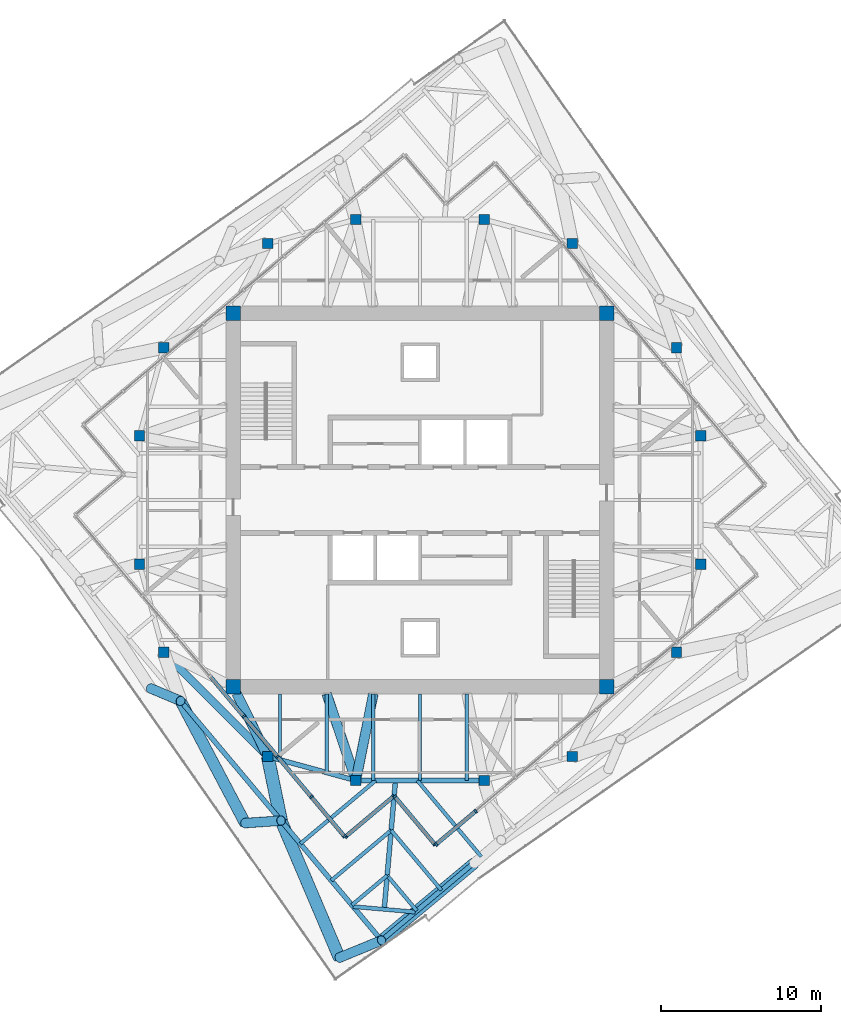
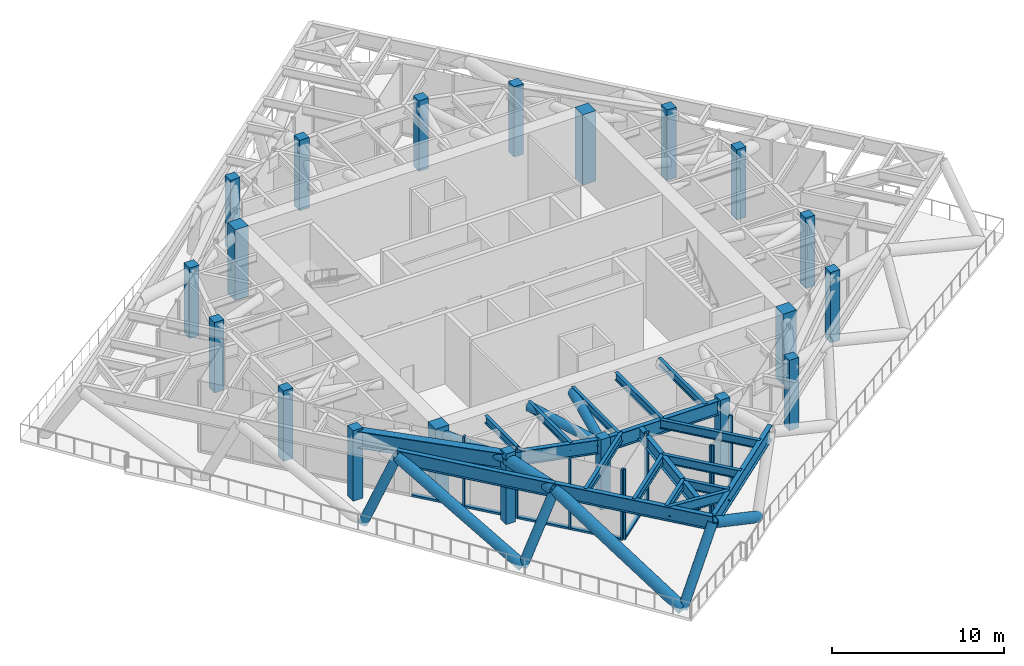
# One storey, part 1 of 15: 27 members, 20 columns, 19 beams, 4 elements without a shape of their own.
"""IFC4 building model written with IfcOpenShell, lengths in metres."""

from ifc_helpers import new_model, si_unit, direction, frame, origin, origin_2d, place, context, subcontext, project, spatial, rectangle, hollow_circle, i_section, extrude, material, material_profile, profile_set, type_object, element, aggregate, save


model = new_model("IFC4")

# Units and contexts
model_context = context("Model", 3, precision=1e-05, world=origin(), true_north=direction((0.0, 1.0)))
body_context = subcontext(model_context, "Body", "Model", "MODEL_VIEW")
ifc_project = project(units=[si_unit("LENGTHUNIT", "METRE"), si_unit("AREAUNIT", "SQUARE_METRE"), si_unit("VOLUMEUNIT", "CUBIC_METRE"), si_unit("PLANEANGLEUNIT", "RADIAN"), si_unit("MASSUNIT", "GRAM", prefix="KILO")], contexts=[model_context])

# Site, building, storey
site_placement = place(None, origin())
site = spatial("IfcSite", under=ifc_project, at=site_placement, CompositionType="ELEMENT")
building_placement = place(site_placement, origin())
building = spatial("IfcBuilding", under=site, at=building_placement, Name="Torsade Residences", CompositionType="ELEMENT")
storey_placement = place(building_placement, frame((0.0, 0.0, 267.60009765625)))
storey = spatial("IfcBuildingStorey", under=building, at=storey_placement, Name="L74", CompositionType="ELEMENT", Elevation=267.60009765625)

# Columns
ifc_material_1 = material(Name="Concrete 80 MPa", Category="concrete")
ifc_material_profile_1 = material_profile(ifc_material_1, rectangle(XDim=0.89990234375, YDim=0.89990234375, at=origin_2d()), Name="RC 900x900")
ifc_profile_set_1 = profile_set([ifc_material_profile_1], Name="Concrete 80 MPa")
column_type_1 = type_object("IfcColumnType", Name="CORE CORNER COLUMN RC 900x900", PredefinedType="COLUMN", material=ifc_profile_set_1)
for number, where, z_axis, x_axis, name in (
    (1, (28.35009765625, 18.35009765625, 0.0), (0.0, 0.0, 1.0), (1.0, 0.0, 0.0), "Core corner column CC1 L74"),
    (2, (51.64990234375, 18.35009765625, 0.0), (0.0, 0.0, 1.0), (1.0, 0.0, 0.0), "Core corner column CC2 L74"),
    (3, (51.64990234375, 41.64990234375, 0.0), (0.0, 0.0, 1.0), (1.0, 0.0, 0.0), "Core corner column CC3 L74"),
    (4, (28.35009765625, 41.64990234375, 0.0), (0.0, 0.0, 1.0), (1.0, 0.0, 0.0), "Core corner column CC4 L74"),
):
    element("IfcColumn", number, at=place(storey_placement, frame(where, z_axis=z_axis, x_axis=x_axis)), inside=storey, type_object=column_type_1, Name=name, PredefinedType="COLUMN", context=body_context, shape_type="SweptSolid", body=[
        extrude(rectangle(XDim=0.89990234375, YDim=0.89990234375, at=origin_2d()), origin(), (0.0, 0.0, 1.0), 5.0),
    ])
ifc_material_2 = material(Name="Concrete 80 MPa", Category="concrete")
ifc_material_profile_2 = material_profile(ifc_material_2, rectangle(XDim=0.64990234375, YDim=0.64990234375, at=origin_2d()), Name="RC 650x650")
ifc_profile_set_2 = profile_set([ifc_material_profile_2], Name="Concrete 80 MPa")
column_type_2 = type_object("IfcColumnType", Name="INNER RING COLUMN RC 650x650", PredefinedType="COLUMN", material=ifc_profile_set_2)
for number, where, z_axis, x_axis, name in (
    (5, (57.5, 26.0, 0.0), (0.0, 0.0, 1.0), (1.0, 0.0, 0.0), "Inner ring column IR01 L74"),
    (6, (57.5, 34.0, 0.0), (0.0, 0.0, 1.0), (1.0, 0.0, 0.0), "Inner ring column IR02 L74"),
    (7, (56.0, 39.5, 0.0), (0.0, 0.0, 1.0), (1.0, 0.0, 0.0), "Inner ring column IR03 L74"),
    (8, (49.5, 46.0, 0.0), (0.0, 0.0, 1.0), (1.0, 0.0, 0.0), "Inner ring column IR04 L74"),
    (9, (44.0, 47.5, 0.0), (0.0, 0.0, 1.0), (1.0, 0.0, 0.0), "Inner ring column IR05 L74"),
    (10, (36.0, 47.5, 0.0), (0.0, 0.0, 1.0), (1.0, 0.0, 0.0), "Inner ring column IR06 L74"),
    (11, (30.5, 46.0, 0.0), (0.0, 0.0, 1.0), (1.0, 0.0, 0.0), "Inner ring column IR07 L74"),
    (12, (24.0, 39.5, 0.0), (0.0, 0.0, 1.0), (1.0, 0.0, 0.0), "Inner ring column IR08 L74"),
    (13, (22.5, 34.0, 0.0), (0.0, 0.0, 1.0), (1.0, 0.0, 0.0), "Inner ring column IR09 L74"),
    (14, (22.5, 26.0, 0.0), (0.0, 0.0, 1.0), (1.0, 0.0, 0.0), "Inner ring column IR10 L74"),
    (15, (24.0, 20.5, 0.0), (0.0, 0.0, 1.0), (1.0, 0.0, 0.0), "Inner ring column IR11 L74"),
    (16, (30.5, 14.0, 0.0), (0.0, 0.0, 1.0), (1.0, 0.0, 0.0), "Inner ring column IR12 L74"),
    (17, (36.0, 12.5, 0.0), (0.0, 0.0, 1.0), (1.0, 0.0, 0.0), "Inner ring column IR13 L74"),
    (18, (44.0, 12.5, 0.0), (0.0, 0.0, 1.0), (1.0, 0.0, 0.0), "Inner ring column IR14 L74"),
    (19, (49.5, 14.0, 0.0), (0.0, 0.0, 1.0), (1.0, 0.0, 0.0), "Inner ring column IR15 L74"),
    (20, (56.0, 20.5, 0.0), (0.0, 0.0, 1.0), (1.0, 0.0, 0.0), "Inner ring column IR16 L74"),
):
    element("IfcColumn", number, at=place(storey_placement, frame(where, z_axis=z_axis, x_axis=x_axis)), inside=storey, type_object=column_type_2, Name=name, PredefinedType="COLUMN", context=body_context, shape_type="SweptSolid", body=[
        extrude(rectangle(XDim=0.64990234375, YDim=0.64990234375, at=origin_2d()), origin(), (0.0, 0.0, 1.0), 5.0),
    ])

# Beams
ifc_material_3 = material(Name="Steel grade 300", Category="steel")
ifc_material_profile_3 = material_profile(ifc_material_3, i_section(OverallWidth=0.300048828125, OverallDepth=0.89990234375, WebThickness=0.011962890625, FlangeThickness=0.02490234375, at=origin_2d()), Name="900WB175")
ifc_profile_set_3 = profile_set([ifc_material_profile_3], Name="Steel grade 300")
beam_type_1 = type_object("IfcBeamType", Name="CORNER GIRDER 900WB175", PredefinedType="BEAM", material=ifc_profile_set_3)
beam_1_placement = place(storey_placement, frame((37.765869140625, 4.46484375, 4.39990234375), z_axis=(0.087172957961, 0.996193191806, 0.0), x_axis=(-0.996193191806, 0.087172957961, 0.0)))
element("IfcBeam", 21, at=beam_1_placement, inside=storey, type_object=beam_type_1, Name="Corner girder 01 L75", PredefinedType="BEAM", context=body_context, shape_type="SweptSolid", body=[
    extrude(i_section(OverallWidth=0.300048828125, OverallDepth=0.89990234375, WebThickness=0.011962890625, FlangeThickness=0.02490234375, at=origin_2d()), origin(), (0.0, 0.0, 1.0), 8.06591796875),
])
ifc_material_4 = material(Name="Steel grade 300", Category="steel")
ifc_material_profile_4 = material_profile(ifc_material_4, i_section(OverallWidth=0.25, OverallDepth=0.699951171875, WebThickness=0.010009765625, FlangeThickness=0.02001953125, at=origin_2d()), Name="700WB130")
ifc_profile_set_4 = profile_set([ifc_material_profile_4], Name="Steel grade 300")
beam_type_2 = type_object("IfcBeamType", Name="CORNER TRIMMER 700WB130", PredefinedType="BEAM", material=ifc_profile_set_4)
beam_2_placement = place(storey_placement, frame((39.703125, 4.29541015625, 4.5), z_axis=(-0.996196646947, 0.087133464362, 0.0), x_axis=(-0.087133464362, -0.996196646947, 0.0)))
element("IfcBeam", 22, at=beam_2_placement, inside=storey, type_object=beam_type_2, Name="Corner trimmer 01 L75", PredefinedType="BEAM", context=body_context, shape_type="SweptSolid", body=[
    extrude(i_section(OverallWidth=0.25, OverallDepth=0.699951171875, WebThickness=0.010009765625, FlangeThickness=0.02001953125, at=origin_2d()), origin(), (0.0, 0.0, 1.0), 3.88916015625),
])

# Curtain wall, members
ifc_material_5 = material(Name="Aluminium and glass", Category="aluminium")
curtain_wall_type = type_object("IfcCurtainWallType", Name="TRANSFER LEVEL CURTAIN WALL HIGH ZONE", PredefinedType="NOTDEFINED", material=ifc_material_5)
curtain_wall_1_placement = place(storey_placement, origin())
curtain_wall_1 = element("IfcCurtainWall", 23, at=curtain_wall_1_placement, inside=storey, type_object=curtain_wall_type, Name="Curtain wall L74 face 1", PredefinedType="NOTDEFINED")
ifc_material_6 = material(Name="Aluminium mullion", Category="aluminium")
ifc_material_profile_5 = material_profile(ifc_material_6, rectangle(XDim=0.25, YDim=0.1201171875, at=origin_2d()), Name="HIGH ZONE TRANSFER CURTAIN WALL MULLION 250x120")
ifc_profile_set_5 = profile_set([ifc_material_profile_5], Name="Aluminium mullion")
member_type_1 = type_object("IfcMemberType", Name="HIGH ZONE TRANSFER CURTAIN WALL MULLION 250x120", PredefinedType="MULLION", material=ifc_profile_set_5)
member_1_placement = place(storey_placement, frame((41.00244140625, 8.518798828125, 0.0), z_axis=(0.0, 0.0, 1.0), x_axis=(-0.642787631413, 0.766044424888, 0.0)))
member_1 = element("IfcMember", 24, at=member_1_placement, type_object=member_type_1, Name="Mullion 1", PredefinedType="MULLION", context=body_context, shape_type="SweptSolid", body=[
    extrude(rectangle(XDim=0.25, YDim=0.1201171875, at=origin_2d()), origin(), (0.0, 0.0, 1.0), 5.0),
])
member_2_placement = place(storey_placement, frame((43.46533203125, 10.585205078125, 0.0), z_axis=(0.0, 0.0, 1.0), x_axis=(-0.642787631413, 0.766044424888, 0.0)))
member_2 = element("IfcMember", 25, at=member_2_placement, type_object=member_type_1, Name="Mullion 2", PredefinedType="MULLION", context=body_context, shape_type="SweptSolid", body=[
    extrude(rectangle(XDim=0.25, YDim=0.1201171875, at=origin_2d()), origin(), (0.0, 0.0, 1.0), 5.0),
])

curtain_wall_2_placement = place(storey_placement, origin())
curtain_wall_2 = element("IfcCurtainWall", 26, at=curtain_wall_2_placement, inside=storey, type_object=curtain_wall_type, Name="Curtain wall L74 face 10", PredefinedType="NOTDEFINED")
member_3_placement = place(storey_placement, frame((29.005859375, 16.49951171875, 0.0), z_axis=(0.0, 0.0, 1.0), x_axis=(0.766044424888, 0.642787631413, 0.0)))
member_3 = element("IfcMember", 27, at=member_3_placement, type_object=member_type_1, Name="Mullion 6", PredefinedType="MULLION", context=body_context, shape_type="SweptSolid", body=[
    extrude(rectangle(XDim=0.25, YDim=0.1201171875, at=origin_2d()), origin(), (0.0, 0.0, 1.0), 5.0),
])
member_4_placement = place(storey_placement, frame((31.11083984375, 13.99072265625, 0.0), z_axis=(0.0, 0.0, 1.0), x_axis=(0.766044424888, 0.642787631413, 0.0)))
member_4 = element("IfcMember", 28, at=member_4_placement, type_object=member_type_1, Name="Mullion 7", PredefinedType="MULLION", context=body_context, shape_type="SweptSolid", body=[
    extrude(rectangle(XDim=0.25, YDim=0.1201171875, at=origin_2d()), origin(), (0.0, 0.0, 1.0), 5.0),
])
member_5_placement = place(storey_placement, frame((33.216064453125, 11.48193359375, 0.0), z_axis=(0.0, 0.0, 1.0), x_axis=(0.766044424888, 0.642787631413, 0.0)))
member_5 = element("IfcMember", 29, at=member_5_placement, type_object=member_type_1, Name="Mullion 8", PredefinedType="MULLION", context=body_context, shape_type="SweptSolid", body=[
    extrude(rectangle(XDim=0.25, YDim=0.1201171875, at=origin_2d()), origin(), (0.0, 0.0, 1.0), 5.0),
])
member_6_placement = place(storey_placement, frame((35.282470703125, 9.01904296875, 0.0), z_axis=(0.0, 0.0, 1.0), x_axis=(0.766044424888, 0.642787631413, 0.0)))
member_6 = element("IfcMember", 30, at=member_6_placement, type_object=member_type_1, Name="Mullion 9", PredefinedType="MULLION", context=body_context, shape_type="SweptSolid", body=[
    extrude(rectangle(XDim=0.25, YDim=0.1201171875, at=origin_2d()), origin(), (0.0, 0.0, 1.0), 5.0),
])

curtain_wall_3_placement = place(storey_placement, origin())
curtain_wall_3 = element("IfcCurtainWall", 31, at=curtain_wall_3_placement, inside=storey, type_object=curtain_wall_type, Name="Curtain wall L74 face 11", PredefinedType="NOTDEFINED")
member_7_placement = place(storey_placement, frame((35.3671875, 9.01171875, 0.0), z_axis=(0.0, 0.0, 1.0), x_axis=(-0.642787640411, 0.766044417338, 0.0)))
member_7 = element("IfcMember", 32, at=member_7_placement, type_object=member_type_1, Name="Mullion 1", PredefinedType="MULLION", context=body_context, shape_type="SweptSolid", body=[
    extrude(rectangle(XDim=0.25, YDim=0.1201171875, at=origin_2d()), origin(), (0.0, 0.0, 1.0), 5.0),
])
member_8_placement = place(storey_placement, frame((38.33935546875, 11.505615234375, 0.0), z_axis=(0.0, 0.0, 1.0), x_axis=(-0.642787640411, 0.766044417338, 0.0)))
member_8 = element("IfcMember", 33, at=member_8_placement, type_object=member_type_1, Name="Mullion 2", PredefinedType="MULLION", context=body_context, shape_type="SweptSolid", body=[
    extrude(rectangle(XDim=0.25, YDim=0.1201171875, at=origin_2d()), origin(), (0.0, 0.0, 1.0), 5.0),
])

curtain_wall_4_placement = place(storey_placement, origin())
curtain_wall_4 = element("IfcCurtainWall", 34, at=curtain_wall_4_placement, inside=storey, type_object=curtain_wall_type, Name="Curtain wall L74 face 12", PredefinedType="NOTDEFINED")
member_9_placement = place(storey_placement, frame((38.423828125, 11.498291015625, 0.0), z_axis=(0.0, 0.0, 1.0), x_axis=(0.766044397526, 0.642787664022, 0.0)))
member_9 = element("IfcMember", 35, at=member_9_placement, type_object=member_type_1, Name="Mullion 1", PredefinedType="MULLION", context=body_context, shape_type="SweptSolid", body=[
    extrude(rectangle(XDim=0.25, YDim=0.1201171875, at=origin_2d()), origin(), (0.0, 0.0, 1.0), 5.0),
])
member_10_placement = place(storey_placement, frame((40.91796875, 8.526123046875, 0.0), z_axis=(0.0, 0.0, 1.0), x_axis=(0.766044397526, 0.642787664022, 0.0)))
member_10 = element("IfcMember", 36, at=member_10_placement, type_object=member_type_1, Name="Mullion 2", PredefinedType="MULLION", context=body_context, shape_type="SweptSolid", body=[
    extrude(rectangle(XDim=0.25, YDim=0.1201171875, at=origin_2d()), origin(), (0.0, 0.0, 1.0), 5.0),
])

# Member
ifc_material_7 = material(Name="Aluminium transom", Category="aluminium")
ifc_material_profile_6 = material_profile(ifc_material_7, rectangle(XDim=0.25, YDim=0.139892578125, at=origin_2d()), Name="HIGH ZONE TRANSFER CURTAIN WALL TRANSOM 250x140")
ifc_profile_set_6 = profile_set([ifc_material_profile_6], Name="Aluminium transom")
member_type_2 = type_object("IfcMemberType", Name="HIGH ZONE TRANSFER CURTAIN WALL TRANSOM 250x140", PredefinedType="USERDEFINED", material=ifc_profile_set_6)
member_11_placement = place(storey_placement, frame((41.04833984375, 8.557373046875, 0.06982421875), z_axis=(0.766096318051, 0.642725782483, 0.0), x_axis=(-0.642725782483, 0.766096318051, 0.0)))
member_11 = element("IfcMember", 37, at=member_11_placement, type_object=member_type_2, Name="Transom 1.1", ObjectType="TRANSOM", PredefinedType="USERDEFINED", context=body_context, shape_type="SweptSolid", body=[
    extrude(rectangle(XDim=0.25, YDim=0.139892578125, at=origin_2d()), origin(), (0.0, 0.0, 1.0), 3.094970703125),
])

aggregate(curtain_wall_1, [member_1, member_2, member_11])

member_12_placement = place(storey_placement, frame((26.939208984375, 18.96240234375, 0.06982421875), z_axis=(0.642783688793, -0.766047733122, 0.0), x_axis=(0.766047733122, 0.642783688793, 0.0)))
member_12 = element("IfcMember", 38, at=member_12_placement, type_object=member_type_2, Name="Transom 5.1", ObjectType="TRANSOM", PredefinedType="USERDEFINED", context=body_context, shape_type="SweptSolid", body=[
    extrude(rectangle(XDim=0.25, YDim=0.139892578125, at=origin_2d()), origin(), (0.0, 0.0, 1.0), 3.155029296875),
])

member_13_placement = place(storey_placement, frame((29.04443359375, 16.45361328125, 0.06982421875), z_axis=(0.642738277412, -0.766085835105, 0.0), x_axis=(0.766085835105, 0.642738277412, 0.0)))
member_13 = element("IfcMember", 39, at=member_13_placement, type_object=member_type_2, Name="Transom 6.1", ObjectType="TRANSOM", PredefinedType="USERDEFINED", context=body_context, shape_type="SweptSolid", body=[
    extrude(rectangle(XDim=0.25, YDim=0.139892578125, at=origin_2d()), origin(), (0.0, 0.0, 1.0), 3.155029296875),
])

member_14_placement = place(storey_placement, frame((31.1494140625, 13.94482421875, 0.06982421875), z_axis=(0.642783688793, -0.766047733122, 0.0), x_axis=(0.766047733122, 0.642783688793, 0.0)))
member_14 = element("IfcMember", 40, at=member_14_placement, type_object=member_type_2, Name="Transom 7.1", ObjectType="TRANSOM", PredefinedType="USERDEFINED", context=body_context, shape_type="SweptSolid", body=[
    extrude(rectangle(XDim=0.25, YDim=0.139892578125, at=origin_2d()), origin(), (0.0, 0.0, 1.0), 3.155029296875),
])

member_15_placement = place(storey_placement, frame((33.254638671875, 11.43603515625, 0.06982421875), z_axis=(0.642810915537, -0.766024886585, 0.0), x_axis=(0.766024886585, 0.642810915537, 0.0)))
member_15 = element("IfcMember", 41, at=member_15_placement, type_object=member_type_2, Name="Transom 8.1", ObjectType="TRANSOM", PredefinedType="USERDEFINED", context=body_context, shape_type="SweptSolid", body=[
    extrude(rectangle(XDim=0.25, YDim=0.139892578125, at=origin_2d()), origin(), (0.0, 0.0, 1.0), 3.094970703125),
])

aggregate(curtain_wall_2, [member_3, member_4, member_5, member_6, member_12, member_13, member_14, member_15])

member_16_placement = place(storey_placement, frame((35.4130859375, 9.05029296875, 0.06982421875), z_axis=(0.766034770044, 0.642799137433, 0.0), x_axis=(-0.642799137433, 0.766034770044, 0.0)))
member_16 = element("IfcMember", 42, at=member_16_placement, type_object=member_type_2, Name="Transom 1.1", ObjectType="TRANSOM", PredefinedType="USERDEFINED", context=body_context, shape_type="SweptSolid", body=[
    extrude(rectangle(XDim=0.25, YDim=0.139892578125, at=origin_2d()), origin(), (0.0, 0.0, 1.0), 3.760009765625),
])

aggregate(curtain_wall_3, [member_7, member_8, member_16])

member_17_placement = place(storey_placement, frame((38.46240234375, 11.452392578125, 0.06982421875), z_axis=(0.642799137433, -0.766034770044, 0.0), x_axis=(0.766034770044, 0.642799137433, 0.0)))
member_17 = element("IfcMember", 43, at=member_17_placement, type_object=member_type_2, Name="Transom 1.1", ObjectType="TRANSOM", PredefinedType="USERDEFINED", context=body_context, shape_type="SweptSolid", body=[
    extrude(rectangle(XDim=0.25, YDim=0.139892578125, at=origin_2d()), origin(), (0.0, 0.0, 1.0), 3.760009765625),
])

aggregate(curtain_wall_4, [member_9, member_10, member_17])

# Beams
ifc_material_8 = material(Name="Steel grade 300", Category="steel")
ifc_material_profile_7 = material_profile(ifc_material_8, i_section(OverallWidth=0.208984375, OverallDepth=0.528076171875, WebThickness=0.009521484375, FlangeThickness=0.01318359375, FilletRadius=0.013916015625, at=origin_2d()), Name="530UB82.0")
ifc_profile_set_7 = profile_set([ifc_material_profile_7], Name="Steel grade 300")
beam_type_3 = type_object("IfcBeamType", Name="INNER FLOOR BEAM 530UB82.0", PredefinedType="JOIST", material=ifc_profile_set_7)
for number, where, z_axis, x_axis, name in (
    (44, (42.91259765625, 17.89990234375, 4.5859375), (0.0, -1.0, 0.0), (1.0, 0.0, 0.0), "Inner floor beam IS03 L75"),
    (45, (40.0, 17.89990234375, 4.5859375), (0.0, -1.0, 0.0), (1.0, 0.0, 0.0), "Inner floor beam IS04 L75"),
    (46, (37.08740234375, 17.89990234375, 4.5859375), (0.0, -1.0, 0.0), (1.0, 0.0, 0.0), "Inner floor beam IS05 L75"),
):
    element("IfcBeam", number, at=place(storey_placement, frame(where, z_axis=z_axis, x_axis=x_axis)), inside=storey, type_object=beam_type_3, Name=name, PredefinedType="JOIST", context=body_context, shape_type="SweptSolid", body=[
        extrude(i_section(OverallWidth=0.208984375, OverallDepth=0.528076171875, WebThickness=0.009521484375, FlangeThickness=0.01318359375, FilletRadius=0.013916015625, at=origin_2d()), origin(), (0.0, 0.0, 1.0), 5.39990234375),
    ])
beam_3_placement = place(storey_placement, frame((34.175048828125, 17.89990234375, 4.5859375), z_axis=(0.0, -1.0, 0.0), x_axis=(1.0, 0.0, 0.0)))
element("IfcBeam", 47, at=beam_3_placement, inside=storey, type_object=beam_type_3, Name="Inner floor beam IS06 L75", PredefinedType="JOIST", context=body_context, shape_type="SweptSolid", body=[
    extrude(i_section(OverallWidth=0.208984375, OverallDepth=0.528076171875, WebThickness=0.009521484375, FlangeThickness=0.01318359375, FilletRadius=0.013916015625, at=origin_2d()), origin(), (0.0, 0.0, 1.0), 4.902099609375),
])
beam_4_placement = place(storey_placement, frame((31.262451171875, 17.89990234375, 4.5859375), z_axis=(0.0, -1.0, 0.0), x_axis=(1.0, 0.0, 0.0)))
element("IfcBeam", 48, at=beam_4_placement, inside=storey, type_object=beam_type_3, Name="Inner floor beam IS07 L75", PredefinedType="JOIST", context=body_context, shape_type="SweptSolid", body=[
    extrude(i_section(OverallWidth=0.208984375, OverallDepth=0.528076171875, WebThickness=0.009521484375, FlangeThickness=0.01318359375, FilletRadius=0.013916015625, at=origin_2d()), origin(), (0.0, 0.0, 1.0), 4.10791015625),
])
ifc_material_9 = material(Name="Steel grade 300", Category="steel")
ifc_material_profile_8 = material_profile(ifc_material_9, i_section(OverallWidth=0.5, OverallDepth=1.199951171875, WebThickness=0.01611328125, FlangeThickness=0.0400390625, at=origin_2d()), Name="1200WB455")
ifc_profile_set_8 = profile_set([ifc_material_profile_8], Name="Steel grade 300")
beam_type_4 = type_object("IfcBeamType", Name="RING CORNER GIRDER 1200WB455", PredefinedType="BEAM", material=ifc_profile_set_8)
beam_5_placement = place(storey_placement, frame((24.0, 20.5, 4.25), z_axis=(0.707106781187, -0.707106781187, 0.0), x_axis=(0.707106781187, 0.707106781187, 0.0)))
element("IfcBeam", 49, at=beam_5_placement, inside=storey, type_object=beam_type_4, Name="Ring girder IR11 L75", PredefinedType="BEAM", context=body_context, shape_type="SweptSolid", body=[
    extrude(i_section(OverallWidth=0.5, OverallDepth=1.199951171875, WebThickness=0.01611328125, FlangeThickness=0.0400390625, at=origin_2d()), origin(), (0.0, 0.0, 1.0), 9.1923828125),
])
ifc_material_10 = material(Name="Steel grade 300", Category="steel")
ifc_material_profile_9 = material_profile(ifc_material_10, i_section(OverallWidth=0.300048828125, OverallDepth=1.0, WebThickness=0.01611328125, FlangeThickness=0.028076171875, at=origin_2d()), Name="1000WB215")
ifc_profile_set_9 = profile_set([ifc_material_profile_9], Name="Steel grade 300")
beam_type_5 = type_object("IfcBeamType", Name="RING GIRDER 1000WB215", PredefinedType="BEAM", material=ifc_profile_set_9)
beam_6_placement = place(storey_placement, frame((30.5, 14.0, 4.349853515625), z_axis=(0.964763821238, -0.263117405792, 0.0), x_axis=(0.263117405792, 0.964763821238, 0.0)))
element("IfcBeam", 50, at=beam_6_placement, inside=storey, type_object=beam_type_5, Name="Ring girder IR12 L75", PredefinedType="BEAM", context=body_context, shape_type="SweptSolid", body=[
    extrude(i_section(OverallWidth=0.300048828125, OverallDepth=1.0, WebThickness=0.01611328125, FlangeThickness=0.028076171875, at=origin_2d()), origin(), (0.0, 0.0, 1.0), 5.700927734375),
])
beam_7_placement = place(storey_placement, frame((36.0, 12.5, 4.349853515625), z_axis=(1.0, 0.0, 0.0), x_axis=(0.0, 1.0, 0.0)))
element("IfcBeam", 51, at=beam_7_placement, inside=storey, type_object=beam_type_5, Name="Ring girder IR13 L75", PredefinedType="BEAM", context=body_context, shape_type="SweptSolid", body=[
    extrude(i_section(OverallWidth=0.300048828125, OverallDepth=1.0, WebThickness=0.01611328125, FlangeThickness=0.028076171875, at=origin_2d()), origin(), (0.0, 0.0, 1.0), 8.0),
])
ifc_material_11 = material(Name="Steel grade 300", Category="steel")
ifc_material_profile_10 = material_profile(ifc_material_11, i_section(OverallWidth=0.22900390625, OverallDepth=0.612060546875, WebThickness=0.011962890625, FlangeThickness=0.01953125, FilletRadius=0.013916015625, at=origin_2d()), Name="610UB125")
ifc_profile_set_10 = profile_set([ifc_material_profile_10], Name="Steel grade 300")
beam_type_6 = type_object("IfcBeamType", Name="SECONDARY BEAM 610UB125", PredefinedType="JOIST", material=ifc_profile_set_10)
beam_8_placement = place(storey_placement, frame((39.798828125, 4.375732421875, 4.5439453125), z_axis=(-0.642761807001, 0.766066093402, 0.0), x_axis=(-0.766066093402, -0.642761807001, 0.0)))
element("IfcBeam", 52, at=beam_8_placement, inside=storey, type_object=beam_type_6, Name="Floor beam FS01 L75", PredefinedType="JOIST", context=body_context, shape_type="SweptSolid", body=[
    extrude(i_section(OverallWidth=0.22900390625, OverallDepth=0.612060546875, WebThickness=0.011962890625, FlangeThickness=0.01953125, FilletRadius=0.013916015625, at=origin_2d()), origin(), (0.0, 0.0, 1.0), 2.875),
])
beam_9_placement = place(storey_placement, frame((41.3310546875, 5.661376953125, 4.5439453125), z_axis=(-0.642820877376, 0.766016526982, 0.0), x_axis=(-0.766016526982, -0.642820877376, 0.0)))
element("IfcBeam", 53, at=beam_9_placement, inside=storey, type_object=beam_type_6, Name="Floor beam FS02 L75", PredefinedType="JOIST", context=body_context, shape_type="SweptSolid", body=[
    extrude(i_section(OverallWidth=0.22900390625, OverallDepth=0.612060546875, WebThickness=0.011962890625, FlangeThickness=0.01953125, FilletRadius=0.013916015625, at=origin_2d()), origin(), (0.0, 0.0, 1.0), 4.875),
])
beam_10_placement = place(storey_placement, frame((43.820556640625, 7.75048828125, 4.5439453125), z_axis=(-0.642791209238, 0.766041422722, 0.0), x_axis=(-0.766041422722, -0.642791209238, 0.0)))
element("IfcBeam", 54, at=beam_10_placement, inside=storey, type_object=beam_type_6, Name="Floor beam FS03 L75", PredefinedType="JOIST", context=body_context, shape_type="SweptSolid", body=[
    extrude(i_section(OverallWidth=0.22900390625, OverallDepth=0.612060546875, WebThickness=0.011962890625, FlangeThickness=0.01953125, FilletRadius=0.013916015625, at=origin_2d()), origin(), (0.0, 0.0, 1.0), 6.199951171875),
])
beam_11_placement = place(storey_placement, frame((32.534423828125, 8.560302734375, 4.5439453125), z_axis=(0.766039049329, 0.642794037701, 0.0), x_axis=(-0.642794037701, 0.766039049329, 0.0)))
element("IfcBeam", 55, at=beam_11_placement, inside=storey, type_object=beam_type_6, Name="Floor beam FW10 L75", PredefinedType="JOIST", context=body_context, shape_type="SweptSolid", body=[
    extrude(i_section(OverallWidth=0.22900390625, OverallDepth=0.612060546875, WebThickness=0.011962890625, FlangeThickness=0.01953125, FilletRadius=0.013916015625, at=origin_2d()), origin(), (0.0, 0.0, 1.0), 6.12890625),
])
beam_12_placement = place(storey_placement, frame((34.462890625, 6.26220703125, 4.5439453125), z_axis=(0.766041186946, 0.642791490223, 0.0), x_axis=(-0.642791490223, 0.766041186946, 0.0)))
element("IfcBeam", 56, at=beam_12_placement, inside=storey, type_object=beam_type_6, Name="Floor beam FW11 L75", PredefinedType="JOIST", context=body_context, shape_type="SweptSolid", body=[
    extrude(i_section(OverallWidth=0.22900390625, OverallDepth=0.612060546875, WebThickness=0.011962890625, FlangeThickness=0.01953125, FilletRadius=0.013916015625, at=origin_2d()), origin(), (0.0, 0.0, 1.0), 4.875),
])
beam_13_placement = place(storey_placement, frame((35.74853515625, 4.730224609375, 4.5439453125), z_axis=(0.766066093402, 0.642761807001, 0.0), x_axis=(-0.642761807001, 0.766066093402, 0.0)))
element("IfcBeam", 57, at=beam_13_placement, inside=storey, type_object=beam_type_6, Name="Floor beam FW12 L75", PredefinedType="JOIST", context=body_context, shape_type="SweptSolid", body=[
    extrude(i_section(OverallWidth=0.22900390625, OverallDepth=0.612060546875, WebThickness=0.011962890625, FlangeThickness=0.01953125, FilletRadius=0.013916015625, at=origin_2d()), origin(), (0.0, 0.0, 1.0), 2.875),
])

# Members
ifc_material_12 = material(Name="Steel grade 450", Category="steel")
ifc_material_profile_11 = material_profile(ifc_material_12, hollow_circle(Radius=0.304931640625, WallThickness=0.01611328125, at=origin_2d()), Name="610.0x16.0CHS")
ifc_profile_set_11 = profile_set([ifc_material_profile_11], Name="Steel grade 450")
member_type_3 = type_object("IfcMemberType", Name="TRANSFER FLOOR BRACE 610.0x16.0CHS", PredefinedType="BRACE", material=ifc_profile_set_11)
member_18_placement = place(storey_placement, frame((30.5, 14.0, 4.349853515625), z_axis=(-0.443105036702, 0.896469701914, 0.0), x_axis=(-0.896469701914, -0.443105036702, 0.0)))
element("IfcMember", 58, at=member_18_placement, inside=storey, type_object=member_type_3, Name="Transfer floor brace TT8 top IR12C", PredefinedType="BRACE", context=body_context, shape_type="SweptSolid", body=[
    extrude(hollow_circle(Radius=0.304931640625, WallThickness=0.01611328125, at=origin_2d()), origin(), (0.0, 0.0, 1.0), 4.40234375),
])
member_19_placement = place(storey_placement, frame((36.0, 12.5, 4.349853515625), z_axis=(0.197387517864, 0.980201418973, 0.015599552377), x_axis=(-0.980320704809, 0.197411538983, 0.0)))
element("IfcMember", 59, at=member_19_placement, inside=storey, type_object=member_type_3, Name="Transfer floor brace TT8 top IR13IS05", PredefinedType="BRACE", context=body_context, shape_type="SweptSolid", body=[
    extrude(hollow_circle(Radius=0.304931640625, WallThickness=0.01611328125, at=origin_2d()), origin(), (0.0, 0.0, 1.0), 5.509033203125),
])
member_20_placement = place(storey_placement, frame((36.0, 12.5, 4.349853515625), z_axis=(-0.320133484365, 0.947252495944, 0.01507518214), x_axis=(-0.947360151124, -0.320169867513, 0.0)))
element("IfcMember", 60, at=member_20_placement, inside=storey, type_object=member_type_3, Name="Transfer floor brace TT8 top IR13IS06", PredefinedType="BRACE", context=body_context, shape_type="SweptSolid", body=[
    extrude(hollow_circle(Radius=0.304931640625, WallThickness=0.01611328125, at=origin_2d()), origin(), (0.0, 0.0, 1.0), 5.70068359375),
])
ifc_material_13 = material(Name="Steel grade 450", Category="steel")
ifc_material_profile_12 = material_profile(ifc_material_13, hollow_circle(Radius=0.406494140625, WallThickness=0.02490234375, at=origin_2d()), Name="813.0x25.0CHS")
ifc_profile_set_12 = profile_set([ifc_material_profile_12], Name="Steel grade 450")
member_type_4 = type_object("IfcMemberType", Name="TRANSFER FLOOR STRUT 813.0x25.0CHS", PredefinedType="STRUT", material=ifc_profile_set_12)
member_21_placement = place(storey_placement, frame((31.329345703125, 9.996826171875, 4.349853515625), z_axis=(-0.202864287033, 0.979206863255, 0.0), x_axis=(-0.979206863255, -0.202864287033, 0.0)))
element("IfcMember", 61, at=member_21_placement, inside=storey, type_object=member_type_4, Name="Transfer floor strut TT8 top 16IR12", PredefinedType="STRUT", context=body_context, shape_type="SweptSolid", body=[
    extrude(hollow_circle(Radius=0.406494140625, WallThickness=0.02490234375, at=origin_2d()), origin(), (0.0, 0.0, 1.0), 4.088134765625),
])

# Beams
ifc_material_14 = material(Name="Steel grade 300", Category="steel")
ifc_material_profile_13 = material_profile(ifc_material_14, i_section(OverallWidth=0.300048828125, OverallDepth=1.0, WebThickness=0.01611328125, FlangeThickness=0.028076171875, at=origin_2d()), Name="1000WB215")
ifc_profile_set_13 = profile_set([ifc_material_profile_13], Name="Steel grade 300")
beam_type_7 = type_object("IfcBeamType", Name="TRANSFER TRUSS CHORD 1000WB215", PredefinedType="USERDEFINED", material=ifc_profile_set_13)
for number, where, z_axis, x_axis, name in (
    (62, (37.596435546875, 2.52783203125, 4.349853515625), (0.766051532934, 0.642779160279, 0.0), (-0.642779160279, 0.766051532934, 0.0), "Transfer truss TT8 top chord 01"),
    (63, (25.06201171875, 17.465576171875, 4.349853515625), (0.642806184154, -0.766028856906, 0.0), (0.766028856906, 0.642806184154, 0.0), "Transfer truss TT8 top chord 15"),
    (64, (31.329345703125, 9.996826171875, 4.349853515625), (0.642779160279, -0.766051532934, 0.0), (0.766051532934, 0.642779160279, 0.0), "Transfer truss TT8 top chord 16"),
):
    element("IfcBeam", number, at=place(storey_placement, frame(where, z_axis=z_axis, x_axis=x_axis)), inside=storey, type_object=beam_type_7, Name=name, ObjectType="TRANSFER TRUSS CHORD", PredefinedType="USERDEFINED", context=body_context, shape_type="SweptSolid", body=[
        extrude(i_section(OverallWidth=0.300048828125, OverallDepth=1.0, WebThickness=0.01611328125, FlangeThickness=0.028076171875, at=origin_2d()), origin(), (0.0, 0.0, 1.0), 9.75),
    ])

# Members
ifc_material_15 = material(Name="Steel grade 450", Category="steel")
ifc_material_profile_14 = material_profile(ifc_material_15, hollow_circle(Radius=0.35546875, WallThickness=0.02001953125, at=origin_2d()), Name="711.0x20.0CHS")
ifc_profile_set_14 = profile_set([ifc_material_profile_14], Name="Steel grade 450")
member_type_5 = type_object("IfcMemberType", Name="TRANSFER TRUSS DIAGONAL 711.0x20.0CHS", PredefinedType="BRACE", material=ifc_profile_set_14)
member_22_placement = place(storey_placement, frame((43.362060546875, 7.328125, -0.2001953125), z_axis=(-0.65710434893, -0.547086115712, 0.518565961679), x_axis=(0.639838643951, -0.768509277568, 0.0)))
element("IfcMember", 65, at=member_22_placement, inside=storey, type_object=member_type_5, Name="Transfer truss TT8 diagonal 01", PredefinedType="BRACE", context=body_context, shape_type="SweptSolid", body=[
    extrude(hollow_circle(Radius=0.35546875, WallThickness=0.02001953125, at=origin_2d()), origin(), (0.0, 0.0, 1.0), 8.774169921875),
])
member_23_placement = place(storey_placement, frame((29.08642578125, 9.845458984375, -0.2001953125), z_axis=(-0.412972167197, 0.781951424565, 0.466911082264), x_axis=(-0.884256077273, -0.46700234454, 0.0)))
element("IfcMember", 66, at=member_23_placement, inside=storey, type_object=member_type_5, Name="Transfer truss TT8 diagonal 15", PredefinedType="BRACE", context=body_context, shape_type="SweptSolid", body=[
    extrude(hollow_circle(Radius=0.35546875, WallThickness=0.02001953125, at=origin_2d()), origin(), (0.0, 0.0, 1.0), 9.7451171875),
])
ifc_material_16 = material(Name="Steel grade 450", Category="steel")
ifc_material_profile_15 = material_profile(ifc_material_16, hollow_circle(Radius=0.381103515625, WallThickness=0.02197265625, at=origin_2d()), Name="762.0x22.0CHS")
ifc_profile_set_15 = profile_set([ifc_material_profile_15], Name="Steel grade 450")
member_type_6 = type_object("IfcMemberType", Name="TRANSFER TRUSS DIAGONAL 762.0x22.0CHS", PredefinedType="BRACE", material=ifc_profile_set_15)
member_24_placement = place(storey_placement, frame((34.9658203125, 1.448974609375, -0.2001953125), z_axis=(-0.351563331, 0.82638035213, 0.439884914391), x_axis=(-0.920189889641, -0.391472306815, 0.0)))
element("IfcMember", 67, at=member_24_placement, inside=storey, type_object=member_type_6, Name="Transfer truss TT8 diagonal 16", PredefinedType="BRACE", context=body_context, shape_type="SweptSolid", body=[
    extrude(hollow_circle(Radius=0.381103515625, WallThickness=0.02197265625, at=origin_2d()), origin(), (0.0, 0.0, 1.0), 10.34375),
])
ifc_material_17 = material(Name="Steel grade 450", Category="steel")
ifc_material_profile_16 = material_profile(ifc_material_17, hollow_circle(Radius=0.304931640625, WallThickness=0.01611328125, at=origin_2d()), Name="610.0x16.0CHS")
ifc_profile_set_16 = profile_set([ifc_material_profile_16], Name="Steel grade 450")
member_type_7 = type_object("IfcMemberType", Name="TRANSFER TRUSS RAKING STRUT 610.0x16.0CHS", PredefinedType="STRUT", material=ifc_profile_set_16)
member_25_placement = place(storey_placement, frame((34.9658203125, 1.448974609375, -0.2001953125), z_axis=(0.490296756187, 0.201078549011, 0.848042751281), x_axis=(-0.379445166464, 0.925214226894, 0.0)))
element("IfcMember", 68, at=member_25_placement, inside=storey, type_object=member_type_7, Name="Transfer truss TT8 raking strut 01", PredefinedType="STRUT", context=body_context, shape_type="SweptSolid", body=[
    extrude(hollow_circle(Radius=0.304931640625, WallThickness=0.01611328125, at=origin_2d()), origin(), (0.0, 0.0, 1.0), 5.365234375),
])
member_26_placement = place(storey_placement, frame((23.207275390625, 18.24169921875, -0.2001953125), z_axis=(0.372850994924, -0.156021233758, 0.914680004264), x_axis=(0.38602034486, 0.922490267349, 0.0)))
element("IfcMember", 69, at=member_26_placement, inside=storey, type_object=member_type_7, Name="Transfer truss TT8 raking strut 15", PredefinedType="STRUT", context=body_context, shape_type="SweptSolid", body=[
    extrude(hollow_circle(Radius=0.304931640625, WallThickness=0.01611328125, at=origin_2d()), origin(), (0.0, 0.0, 1.0), 4.974365234375),
])
member_27_placement = place(storey_placement, frame((29.08642578125, 9.845458984375, -0.2001953125), z_axis=(0.441946761454, 0.029825513454, 0.896545313293), x_axis=(-0.067333506585, 0.997730524185, 0.0)))
element("IfcMember", 70, at=member_27_placement, inside=storey, type_object=member_type_7, Name="Transfer truss TT8 raking strut 16", PredefinedType="STRUT", context=body_context, shape_type="SweptSolid", body=[
    extrude(hollow_circle(Radius=0.304931640625, WallThickness=0.01611328125, at=origin_2d()), origin(), (0.0, 0.0, 1.0), 5.0751953125),
])

save(model, "model.ifc")
